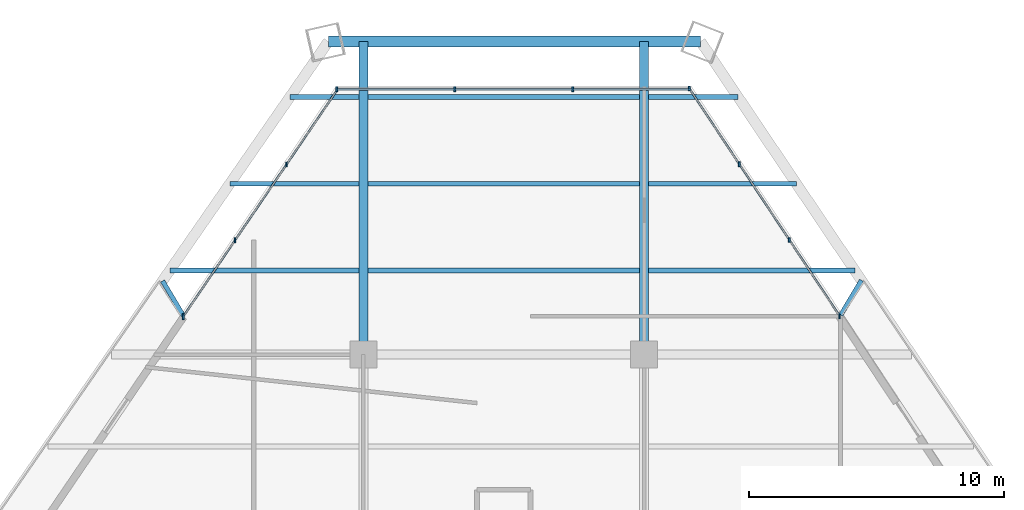
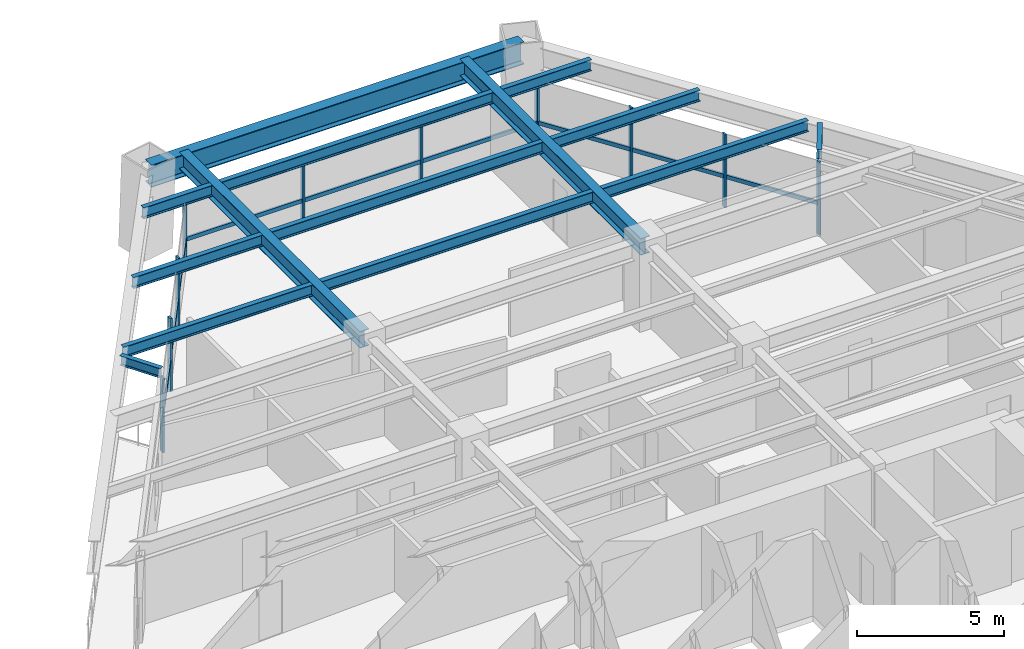
# One storey, part 8 of 14: 20 members, 14 beams, 3 elements without a shape of their own.
"""IFC4 building model written with IfcOpenShell, lengths in metres."""

from ifc_helpers import new_model, si_unit, direction, frame, origin, origin_2d, place, context, subcontext, project, spatial, rectangle, i_section, extrude, source, transform, mapped, material, material_profile, profile_set, type_object, type_shapes, element, aggregate, save


model = new_model("IFC4")

# Units and contexts
model_context = context("Model", 3, precision=1e-05, world=origin(), true_north=direction((0.0, 1.0)))
body_context = subcontext(model_context, "Body", "Model", "MODEL_VIEW")
ifc_project = project(units=[si_unit("LENGTHUNIT", "METRE"), si_unit("AREAUNIT", "SQUARE_METRE"), si_unit("VOLUMEUNIT", "CUBIC_METRE"), si_unit("PLANEANGLEUNIT", "RADIAN"), si_unit("MASSUNIT", "GRAM", prefix="KILO")], contexts=[model_context])

# Site, building, storey
site_placement = place(None, origin())
site = spatial("IfcSite", under=ifc_project, at=site_placement, CompositionType="ELEMENT")
building_placement = place(site_placement, origin())
building = spatial("IfcBuilding", under=site, at=building_placement, Name="Varnakhor Terracotta Tower", CompositionType="ELEMENT")
storey_placement = place(building_placement, frame((0.0, 0.0, 64.5)))
storey = spatial("IfcBuildingStorey", under=building, at=storey_placement, Name="L15", CompositionType="ELEMENT", Elevation=64.5)

# Beams
ifc_material_1 = material(Name="Steel S355", Category="steel")
ifc_material_profile_1 = material_profile(ifc_material_1, i_section(OverallWidth=0.19189453125, OverallDepth=0.462890625, WebThickness=0.010498046875, FlangeThickness=0.017578125, FilletRadius=0.01806640625, at=origin_2d()), Name="W18X60")
ifc_profile_set_1 = profile_set([ifc_material_profile_1], Name="Steel S355")
beam_type_1 = type_object("IfcBeamType", Name="JST-W18X60", PredefinedType="JOIST", material=ifc_profile_set_1)
shared_shape_1 = source(origin(), body_context, "Body", "SweptSolid", [
    extrude(i_section(OverallWidth=0.19189453125, OverallDepth=0.462890625, WebThickness=0.010498046875, FlangeThickness=0.017578125, FilletRadius=0.01806640625, at=origin_2d()), origin(), (0.0, 0.0, 1.0), 10.65283203125),
])
for number, where, z_axis, x_axis, name in (
    (1, (-5.326416015625, 34.800048828125, 3.218505859375), (1.0, 0.0, 0.0), (0.0, 1.0, 0.0), "L15 Composite Floor Joist 7-2"),
    (2, (-5.326416015625, 38.199951171875, 3.218505859375), (1.0, 0.0, 0.0), (0.0, 1.0, 0.0), "L15 Composite Floor Joist 8-2"),
    (3, (-5.326416015625, 41.60009765625, 3.218505859375), (1.0, 0.0, 0.0), (0.0, 1.0, 0.0), "L15 Composite Floor Joist 9-2"),
):
    element("IfcBeam", number, at=place(storey_placement, frame(where, z_axis=z_axis, x_axis=x_axis)), inside=storey, type_object=beam_type_1, Name=name, PredefinedType="JOIST", context=body_context, shape_type="MappedRepresentation", body=[
        mapped(shared_shape_1, transform((0.0, 0.0, 0.0), scale=1.0)),
    ])
ifc_material_profile_2 = material_profile(ifc_material_1, i_section(OverallWidth=0.41796875, OverallDepth=0.927001953125, WebThickness=0.01904296875, FlangeThickness=0.031982421875, FilletRadius=0.01806640625, at=origin_2d()), Name="W36X231")
ifc_profile_set_2 = profile_set([ifc_material_profile_2], Name="Steel S355")
beam_type_2 = type_object("IfcBeamType", Name="BM-W36X231", PredefinedType="BEAM", material=ifc_profile_set_2)
shared_shape_2 = source(origin(), body_context, "Body", "SweptSolid", [
    extrude(i_section(OverallWidth=0.41796875, OverallDepth=0.927001953125, WebThickness=0.01904296875, FlangeThickness=0.031982421875, FilletRadius=0.01806640625, at=origin_2d()), origin(), (0.0, 0.0, 1.0), 14.595458984375),
])
beam_1_placement = place(storey_placement, frame((7.718505859375, 43.77490234375, 2.986572265625), z_axis=(-1.0, 0.0, 0.0), x_axis=(0.0, -1.0, 0.0)))
element("IfcBeam", 4, at=beam_1_placement, inside=storey, type_object=beam_type_2, Name="L15 Perimeter Spandrel 5", PredefinedType="BEAM", context=body_context, shape_type="MappedRepresentation", body=[
    mapped(shared_shape_2, transform((0.0, 0.0, 0.0), scale=1.0)),
])
ifc_material_profile_3 = material_profile(ifc_material_1, i_section(OverallWidth=0.35498046875, OverallDepth=0.695068359375, WebThickness=0.014892578125, FlangeThickness=0.02490234375, FilletRadius=0.01806640625, at=origin_2d()), Name="W27X146")
ifc_profile_set_3 = profile_set([ifc_material_profile_3], Name="Steel S355")
beam_type_3 = type_object("IfcBeamType", Name="BM-W27X146", PredefinedType="BEAM", material=ifc_profile_set_3)
shared_shape_3 = source(origin(), body_context, "Body", "SweptSolid", [
    extrude(i_section(OverallWidth=0.35498046875, OverallDepth=0.695068359375, WebThickness=0.014892578125, FlangeThickness=0.02490234375, FilletRadius=0.01806640625, at=origin_2d()), origin(), (0.0, 0.0, 1.0), 12.27490234375),
])
for number, where, z_axis, x_axis, name in (
    (5, (-5.5, 31.5, 3.1025390625), (0.0, 1.0, 0.0), (-1.0, 0.0, 0.0), "L15 Primary Girder NS3-W"),
    (6, (5.5, 31.5, 3.1025390625), (0.0, 1.0, 0.0), (-1.0, 0.0, 0.0), "L15 Primary Girder NS3-E"),
):
    element("IfcBeam", number, at=place(storey_placement, frame(where, z_axis=z_axis, x_axis=x_axis)), inside=storey, type_object=beam_type_3, Name=name, PredefinedType="BEAM", context=body_context, shape_type="MappedRepresentation", body=[
        mapped(shared_shape_3, transform((0.0, 0.0, 0.0), scale=1.0)),
    ])
shared_shape_4 = source(origin(), body_context, "Body", "SweptSolid", [
    extrude(i_section(OverallWidth=0.19189453125, OverallDepth=0.462890625, WebThickness=0.010498046875, FlangeThickness=0.017578125, FilletRadius=0.01806640625, at=origin_2d()), origin(), (0.0, 0.0, 1.0), 7.419189453125),
])
beam_2_placement = place(storey_placement, frame((-13.0927734375, 34.800048828125, 3.218505859375), z_axis=(1.0, 0.0, 0.0), x_axis=(0.0, 1.0, 0.0)))
element("IfcBeam", 7, at=beam_2_placement, inside=storey, type_object=beam_type_1, Name="L15 Composite Floor Joist 7-1", PredefinedType="JOIST", context=body_context, shape_type="MappedRepresentation", body=[
    mapped(shared_shape_4, transform((0.0, 0.0, 0.0), scale=1.0)),
])
shared_shape_5 = source(origin(), body_context, "Body", "SweptSolid", [
    extrude(i_section(OverallWidth=0.19189453125, OverallDepth=0.462890625, WebThickness=0.010498046875, FlangeThickness=0.017578125, FilletRadius=0.01806640625, at=origin_2d()), origin(), (0.0, 0.0, 1.0), 8.08837890625),
])
beam_3_placement = place(storey_placement, frame((5.673583984375, 34.800048828125, 3.218505859375), z_axis=(1.0, 0.0, 0.0), x_axis=(0.0, 1.0, 0.0)))
element("IfcBeam", 8, at=beam_3_placement, inside=storey, type_object=beam_type_1, Name="L15 Composite Floor Joist 7-3", PredefinedType="JOIST", context=body_context, shape_type="MappedRepresentation", body=[
    mapped(shared_shape_5, transform((0.0, 0.0, 0.0), scale=1.0)),
])
shared_shape_6 = source(origin(), body_context, "Body", "SweptSolid", [
    extrude(i_section(OverallWidth=0.19189453125, OverallDepth=0.462890625, WebThickness=0.010498046875, FlangeThickness=0.017578125, FilletRadius=0.01806640625, at=origin_2d()), origin(), (0.0, 0.0, 1.0), 5.064453125),
])
beam_4_placement = place(storey_placement, frame((-10.738037109375, 38.199951171875, 3.218505859375), z_axis=(1.0, 0.0, 0.0), x_axis=(0.0, 1.0, 0.0)))
element("IfcBeam", 9, at=beam_4_placement, inside=storey, type_object=beam_type_1, Name="L15 Composite Floor Joist 8-1", PredefinedType="JOIST", context=body_context, shape_type="MappedRepresentation", body=[
    mapped(shared_shape_6, transform((0.0, 0.0, 0.0), scale=1.0)),
])
shared_shape_7 = source(origin(), body_context, "Body", "SweptSolid", [
    extrude(i_section(OverallWidth=0.19189453125, OverallDepth=0.462890625, WebThickness=0.010498046875, FlangeThickness=0.017578125, FilletRadius=0.01806640625, at=origin_2d()), origin(), (0.0, 0.0, 1.0), 5.798828125),
])
beam_5_placement = place(storey_placement, frame((5.673583984375, 38.199951171875, 3.218505859375), z_axis=(1.0, 0.0, 0.0), x_axis=(0.0, 1.0, 0.0)))
element("IfcBeam", 10, at=beam_5_placement, inside=storey, type_object=beam_type_1, Name="L15 Composite Floor Joist 8-3", PredefinedType="JOIST", context=body_context, shape_type="MappedRepresentation", body=[
    mapped(shared_shape_7, transform((0.0, 0.0, 0.0), scale=1.0)),
])
shared_shape_8 = source(origin(), body_context, "Body", "SweptSolid", [
    extrude(i_section(OverallWidth=0.19189453125, OverallDepth=0.462890625, WebThickness=0.010498046875, FlangeThickness=0.017578125, FilletRadius=0.01806640625, at=origin_2d()), origin(), (0.0, 0.0, 1.0), 2.709716796875),
])
beam_6_placement = place(storey_placement, frame((-8.38330078125, 41.60009765625, 3.218505859375), z_axis=(1.0, 0.0, 0.0), x_axis=(0.0, 1.0, 0.0)))
element("IfcBeam", 11, at=beam_6_placement, inside=storey, type_object=beam_type_1, Name="L15 Composite Floor Joist 9-1", PredefinedType="JOIST", context=body_context, shape_type="MappedRepresentation", body=[
    mapped(shared_shape_8, transform((0.0, 0.0, 0.0), scale=1.0)),
])
shared_shape_9 = source(origin(), body_context, "Body", "SweptSolid", [
    extrude(i_section(OverallWidth=0.19189453125, OverallDepth=0.462890625, WebThickness=0.010498046875, FlangeThickness=0.017578125, FilletRadius=0.01806640625, at=origin_2d()), origin(), (0.0, 0.0, 1.0), 3.509521484375),
])
beam_7_placement = place(storey_placement, frame((5.673583984375, 41.60009765625, 3.218505859375), z_axis=(1.0, 0.0, 0.0), x_axis=(0.0, 1.0, 0.0)))
element("IfcBeam", 12, at=beam_7_placement, inside=storey, type_object=beam_type_1, Name="L15 Composite Floor Joist 9-3", PredefinedType="JOIST", context=body_context, shape_type="MappedRepresentation", body=[
    mapped(shared_shape_9, transform((0.0, 0.0, 0.0), scale=1.0)),
])

# Curtain wall, members
ifc_material_2 = material(Name="Anodised Aluminium Curtain Wall System", Category="aluminium")
curtain_wall_type = type_object("IfcCurtainWallType", Name="CW-SYS-LOW-OFFICE", PredefinedType="NOTDEFINED", material=ifc_material_2)
curtain_wall_1_placement = place(storey_placement, origin())
curtain_wall_1 = element("IfcCurtainWall", 13, at=curtain_wall_1_placement, inside=storey, type_object=curtain_wall_type, Name="L15 W Facet Curtain Wall 2", PredefinedType="NOTDEFINED")
ifc_material_3 = material(Name="Anodised Aluminium 6063-T6", Category="aluminium")
ifc_material_profile_4 = material_profile(ifc_material_3, rectangle(XDim=0.074951171875, YDim=0.18505859375, at=origin_2d()), Name="ALU MULLION 75x185")
ifc_profile_set_4 = profile_set([ifc_material_profile_4], Name="Anodised Aluminium 6063-T6")
member_type_1 = type_object("IfcMemberType", Name="CWM-02", PredefinedType="MULLION", material=ifc_profile_set_4)
shared_shape_10 = source(origin(), body_context, "Body", "SweptSolid", [
    extrude(rectangle(XDim=0.074951171875, YDim=0.18505859375, at=origin_2d()), origin(), (0.0, 0.0, 1.0), 3.030029296875),
])
type_shapes(member_type_1, [shared_shape_10])
member_1_placement = place(storey_placement, frame((-12.55859375, 33.004638671875, 0.0), z_axis=(0.0, 0.0, 1.0), x_axis=(1.0, 0.0, 0.0)))
member_1 = element("IfcMember", 14, at=member_1_placement, type_object=member_type_1, Name="L15 W Facet Curtain Wall 2 Mullion 1", PredefinedType="MULLION", context=body_context, shape_type="MappedRepresentation", body=[
    mapped(shared_shape_10, transform((0.0, 0.0, 0.0), scale=1.0)),
])
member_2_placement = place(storey_placement, frame((-10.537109375, 35.97900390625, 0.0), z_axis=(0.0, 0.0, 1.0), x_axis=(1.0, 0.0, 0.0)))
member_2 = element("IfcMember", 15, at=member_2_placement, type_object=member_type_1, Name="L15 W Facet Curtain Wall 2 Mullion 2", PredefinedType="MULLION", context=body_context, shape_type="MappedRepresentation", body=[
    mapped(shared_shape_10, transform((0.0, 0.0, 0.0), scale=1.0)),
])
member_3_placement = place(storey_placement, frame((-8.515869140625, 38.95361328125, 0.0), z_axis=(0.0, 0.0, 1.0), x_axis=(1.0, 0.0, 0.0)))
member_3 = element("IfcMember", 16, at=member_3_placement, type_object=member_type_1, Name="L15 W Facet Curtain Wall 2 Mullion 3", PredefinedType="MULLION", context=body_context, shape_type="MappedRepresentation", body=[
    mapped(shared_shape_10, transform((0.0, 0.0, 0.0), scale=1.0)),
])
member_4_placement = place(storey_placement, frame((-12.558837890625, 32.968505859375, 0.0), z_axis=(0.0, 0.0, 1.0), x_axis=(1.0, 0.0, 0.0)))
member_4 = element("IfcMember", 17, at=member_4_placement, type_object=member_type_1, Name="L15 W Loggia Jamb Closure Mullion 2", PredefinedType="MULLION", context=body_context, shape_type="MappedRepresentation", body=[
    mapped(shared_shape_10, transform((0.0, 0.0, 0.0), scale=1.0)),
])

curtain_wall_2_placement = place(storey_placement, origin())
curtain_wall_2 = element("IfcCurtainWall", 18, at=curtain_wall_2_placement, inside=storey, type_object=curtain_wall_type, Name="L15 Facet Curtain Wall 2", PredefinedType="NOTDEFINED")
member_5_placement = place(storey_placement, frame((-6.547119140625, 41.900390625, 0.0), z_axis=(0.0, 0.0, 1.0), x_axis=(1.0, 0.0, 0.0)))
member_5 = element("IfcMember", 19, at=member_5_placement, type_object=member_type_1, Name="L15 Facet Curtain Wall 2 Mullion 1", PredefinedType="MULLION", context=body_context, shape_type="MappedRepresentation", body=[
    mapped(shared_shape_10, transform((0.0, 0.0, 0.0), scale=1.0)),
])
member_6_placement = place(storey_placement, frame((-1.921142578125, 41.900390625, 0.0), z_axis=(0.0, 0.0, 1.0), x_axis=(1.0, 0.0, 0.0)))
member_6 = element("IfcMember", 20, at=member_6_placement, type_object=member_type_1, Name="L15 Facet Curtain Wall 2 Mullion 2", PredefinedType="MULLION", context=body_context, shape_type="MappedRepresentation", body=[
    mapped(shared_shape_10, transform((0.0, 0.0, 0.0), scale=1.0)),
])
member_7_placement = place(storey_placement, frame((2.704833984375, 41.900390625, 0.0), z_axis=(0.0, 0.0, 1.0), x_axis=(1.0, 0.0, 0.0)))
member_7 = element("IfcMember", 21, at=member_7_placement, type_object=member_type_1, Name="L15 Facet Curtain Wall 2 Mullion 3", PredefinedType="MULLION", context=body_context, shape_type="MappedRepresentation", body=[
    mapped(shared_shape_10, transform((0.0, 0.0, 0.0), scale=1.0)),
])

curtain_wall_3_placement = place(storey_placement, origin())
curtain_wall_3 = element("IfcCurtainWall", 22, at=curtain_wall_3_placement, inside=storey, type_object=curtain_wall_type, Name="L15 E Facet Curtain Wall 1", PredefinedType="NOTDEFINED")
member_8_placement = place(storey_placement, frame((7.277099609375, 41.92919921875, 0.0), z_axis=(0.0, 0.0, 1.0), x_axis=(1.0, 0.0, 0.0)))
member_8 = element("IfcMember", 23, at=member_8_placement, type_object=member_type_1, Name="L15 E Facet Curtain Wall 1 Mullion 1", PredefinedType="MULLION", context=body_context, shape_type="MappedRepresentation", body=[
    mapped(shared_shape_10, transform((0.0, 0.0, 0.0), scale=1.0)),
])
member_9_placement = place(storey_placement, frame((9.23876953125, 38.9609375, 0.0), z_axis=(0.0, 0.0, 1.0), x_axis=(1.0, 0.0, 0.0)))
member_9 = element("IfcMember", 24, at=member_9_placement, type_object=member_type_1, Name="L15 E Facet Curtain Wall 1 Mullion 2", PredefinedType="MULLION", context=body_context, shape_type="MappedRepresentation", body=[
    mapped(shared_shape_10, transform((0.0, 0.0, 0.0), scale=1.0)),
])
member_10_placement = place(storey_placement, frame((11.200439453125, 35.992919921875, 0.0), z_axis=(0.0, 0.0, 1.0), x_axis=(1.0, 0.0, 0.0)))
member_10 = element("IfcMember", 25, at=member_10_placement, type_object=member_type_1, Name="L15 E Facet Curtain Wall 1 Mullion 3", PredefinedType="MULLION", context=body_context, shape_type="MappedRepresentation", body=[
    mapped(shared_shape_10, transform((0.0, 0.0, 0.0), scale=1.0)),
])
member_11_placement = place(storey_placement, frame((13.161865234375, 32.98876953125, 0.0), z_axis=(0.0, 0.0, 1.0), x_axis=(1.0, 0.0, 0.0)))
member_11 = element("IfcMember", 26, at=member_11_placement, type_object=member_type_1, Name="L15 E Loggia Jamb Closure Mullion 1", PredefinedType="MULLION", context=body_context, shape_type="MappedRepresentation", body=[
    mapped(shared_shape_10, transform((0.0, 0.0, 0.0), scale=1.0)),
])
ifc_material_profile_5 = material_profile(ifc_material_3, rectangle(XDim=0.074951171875, YDim=0.1650390625, at=origin_2d()), Name="ALU TRANSOM 75x165")
ifc_profile_set_5 = profile_set([ifc_material_profile_5], Name="Anodised Aluminium 6063-T6")
member_type_2 = type_object("IfcMemberType", Name="CWT-02", PredefinedType="USERDEFINED", material=ifc_profile_set_5)
shared_shape_11 = source(origin(), body_context, "Body", "SweptSolid", [
    extrude(rectangle(XDim=0.074951171875, YDim=0.1650390625, at=origin_2d()), origin(), (0.0, 0.0, 1.0), 3.5576171875),
])
member_12_placement = place(storey_placement, frame((9.23876953125, 38.9609375, 1.272705078125), z_axis=(0.551386066051, -0.834250205972, 0.0), x_axis=(0.834250205972, 0.551386066051, 0.0)))
member_12 = element("IfcMember", 27, at=member_12_placement, type_object=member_type_2, Name="L15 E Facet Curtain Wall 1 Transom 2", ObjectType="TRANSOM", PredefinedType="USERDEFINED", context=body_context, shape_type="MappedRepresentation", body=[
    mapped(shared_shape_11, transform((0.0, 0.0, 0.0), scale=1.0)),
])
member_13_placement = place(storey_placement, frame((11.200439453125, 35.992919921875, 1.272705078125), z_axis=(0.551386066051, -0.834250205972, 0.0), x_axis=(0.834250205972, 0.551386066051, 0.0)))
member_13 = element("IfcMember", 28, at=member_13_placement, type_object=member_type_2, Name="L15 E Facet Curtain Wall 1 Transom 3", ObjectType="TRANSOM", PredefinedType="USERDEFINED", context=body_context, shape_type="MappedRepresentation", body=[
    mapped(shared_shape_11, transform((0.0, 0.0, 0.0), scale=1.0)),
])

# Member
shared_shape_12 = source(origin(), body_context, "Body", "SweptSolid", [
    extrude(rectangle(XDim=0.074951171875, YDim=0.1650390625, at=origin_2d()), origin(), (0.0, 0.0, 1.0), 3.59619140625),
])
member_14_placement = place(storey_placement, frame((-12.55859375, 33.004638671875, 1.272705078125), z_axis=(0.56210389205, 0.827066632469, 0.0), x_axis=(-0.827066632469, 0.56210389205, 0.0)))
member_14 = element("IfcMember", 29, at=member_14_placement, type_object=member_type_2, Name="L15 W Facet Curtain Wall 2 Transom 1", ObjectType="TRANSOM", PredefinedType="USERDEFINED", context=body_context, shape_type="MappedRepresentation", body=[
    mapped(shared_shape_12, transform((0.0, 0.0, 0.0), scale=1.0)),
])

member_15_placement = place(storey_placement, frame((-8.515869140625, 38.95361328125, 1.272705078125), z_axis=(0.56205745206, 0.827098192831, 0.0), x_axis=(-0.827098192831, 0.56205745206, 0.0)))
member_15 = element("IfcMember", 30, at=member_15_placement, type_object=member_type_2, Name="L15 W Facet Curtain Wall 2 Transom 3", ObjectType="TRANSOM", PredefinedType="USERDEFINED", context=body_context, shape_type="MappedRepresentation", body=[
    mapped(shared_shape_12, transform((0.0, 0.0, 0.0), scale=1.0)),
])

shared_shape_13 = source(origin(), body_context, "Body", "SweptSolid", [
    extrude(rectangle(XDim=0.074951171875, YDim=0.1650390625, at=origin_2d()), origin(), (0.0, 0.0, 1.0), 3.596435546875),
])
member_16_placement = place(storey_placement, frame((-10.537109375, 35.97900390625, 1.272705078125), z_axis=(0.56202589316, 0.827119637911, 0.0), x_axis=(-0.827119637911, 0.56202589316, 0.0)))
member_16 = element("IfcMember", 31, at=member_16_placement, type_object=member_type_2, Name="L15 W Facet Curtain Wall 2 Transom 2", ObjectType="TRANSOM", PredefinedType="USERDEFINED", context=body_context, shape_type="MappedRepresentation", body=[
    mapped(shared_shape_13, transform((0.0, 0.0, 0.0), scale=1.0)),
])

aggregate(curtain_wall_1, [member_1, member_14, member_2, member_16, member_3, member_15, member_4])

shared_shape_14 = source(origin(), body_context, "Body", "SweptSolid", [
    extrude(rectangle(XDim=0.074951171875, YDim=0.1650390625, at=origin_2d()), origin(), (0.0, 0.0, 1.0), 4.6259765625),
])
member_17_placement = place(storey_placement, frame((-6.547119140625, 41.900390625, 1.272705078125), z_axis=(1.0, 0.0, 0.0), x_axis=(0.0, 1.0, 0.0)))
member_17 = element("IfcMember", 32, at=member_17_placement, type_object=member_type_2, Name="L15 Facet Curtain Wall 2 Transom 1", ObjectType="TRANSOM", PredefinedType="USERDEFINED", context=body_context, shape_type="MappedRepresentation", body=[
    mapped(shared_shape_14, transform((0.0, 0.0, 0.0), scale=1.0)),
])

member_18_placement = place(storey_placement, frame((-1.921142578125, 41.900390625, 1.272705078125), z_axis=(1.0, 0.0, 0.0), x_axis=(0.0, 1.0, 0.0)))
member_18 = element("IfcMember", 33, at=member_18_placement, type_object=member_type_2, Name="L15 Facet Curtain Wall 2 Transom 2", ObjectType="TRANSOM", PredefinedType="USERDEFINED", context=body_context, shape_type="MappedRepresentation", body=[
    mapped(shared_shape_14, transform((0.0, 0.0, 0.0), scale=1.0)),
])

member_19_placement = place(storey_placement, frame((2.704833984375, 41.900390625, 1.272705078125), z_axis=(1.0, 0.0, 0.0), x_axis=(0.0, 1.0, 0.0)))
member_19 = element("IfcMember", 34, at=member_19_placement, type_object=member_type_2, Name="L15 Facet Curtain Wall 2 Transom 3", ObjectType="TRANSOM", PredefinedType="USERDEFINED", context=body_context, shape_type="MappedRepresentation", body=[
    mapped(shared_shape_14, transform((0.0, 0.0, 0.0), scale=1.0)),
])

aggregate(curtain_wall_2, [member_5, member_17, member_6, member_18, member_7, member_19])

shared_shape_15 = source(origin(), body_context, "Body", "SweptSolid", [
    extrude(rectangle(XDim=0.074951171875, YDim=0.1650390625, at=origin_2d()), origin(), (0.0, 0.0, 1.0), 3.557861328125),
])
member_20_placement = place(storey_placement, frame((7.277099609375, 41.92919921875, 1.272705078125), z_axis=(0.551354501285, -0.834271067407, 0.0), x_axis=(0.834271067407, 0.551354501285, 0.0)))
member_20 = element("IfcMember", 35, at=member_20_placement, type_object=member_type_2, Name="L15 E Facet Curtain Wall 1 Transom 1", ObjectType="TRANSOM", PredefinedType="USERDEFINED", context=body_context, shape_type="MappedRepresentation", body=[
    mapped(shared_shape_15, transform((0.0, 0.0, 0.0), scale=1.0)),
])

aggregate(curtain_wall_3, [member_8, member_20, member_9, member_12, member_10, member_13, member_11])

# Beams
ifc_material_profile_6 = material_profile(ifc_material_1, i_section(OverallWidth=0.179931640625, OverallDepth=0.39990234375, WebThickness=0.008544921875, FlangeThickness=0.013427734375, FilletRadius=0.01806640625, at=origin_2d()), Name="IPE400")
ifc_profile_set_6 = profile_set([ifc_material_profile_6], Name="Steel S355")
beam_type_4 = type_object("IfcBeamType", Name="JST-IPE400", PredefinedType="JOIST", material=ifc_profile_set_6)
shared_shape_16 = source(origin(), body_context, "Body", "SweptSolid", [
    extrude(i_section(OverallWidth=0.179931640625, OverallDepth=0.39990234375, WebThickness=0.008544921875, FlangeThickness=0.013427734375, FilletRadius=0.01806640625, at=origin_2d()), origin(), (0.0, 0.0, 1.0), 1.58154296875),
])
beam_8_placement = place(storey_placement, frame((13.214111328125, 33.05224609375, 3.25), z_axis=(0.512178425721, 0.858879071945, 0.0), x_axis=(-0.858879071945, 0.512178425721, 0.0)))
element("IfcBeam", 36, at=beam_8_placement, inside=storey, type_object=beam_type_4, Name="L16 E Loggia Tie Beam 1", PredefinedType="JOIST", context=body_context, shape_type="MappedRepresentation", body=[
    mapped(shared_shape_16, transform((0.0, 0.0, 0.0), scale=1.0)),
])
shared_shape_17 = source(origin(), body_context, "Body", "SweptSolid", [
    extrude(i_section(OverallWidth=0.179931640625, OverallDepth=0.39990234375, WebThickness=0.008544921875, FlangeThickness=0.013427734375, FilletRadius=0.01806640625, at=origin_2d()), origin(), (0.0, 0.0, 1.0), 1.581298828125),
])
beam_9_placement = place(storey_placement, frame((-12.56640625, 33.03173828125, 3.25), z_axis=(-0.512723732944, 0.858553652183, 0.0), x_axis=(-0.858553652183, -0.512723732944, 0.0)))
element("IfcBeam", 37, at=beam_9_placement, inside=storey, type_object=beam_type_4, Name="L16 W Loggia Tie Beam 2", PredefinedType="JOIST", context=body_context, shape_type="MappedRepresentation", body=[
    mapped(shared_shape_17, transform((0.0, 0.0, 0.0), scale=1.0)),
])

save(model, "model.ifc")
